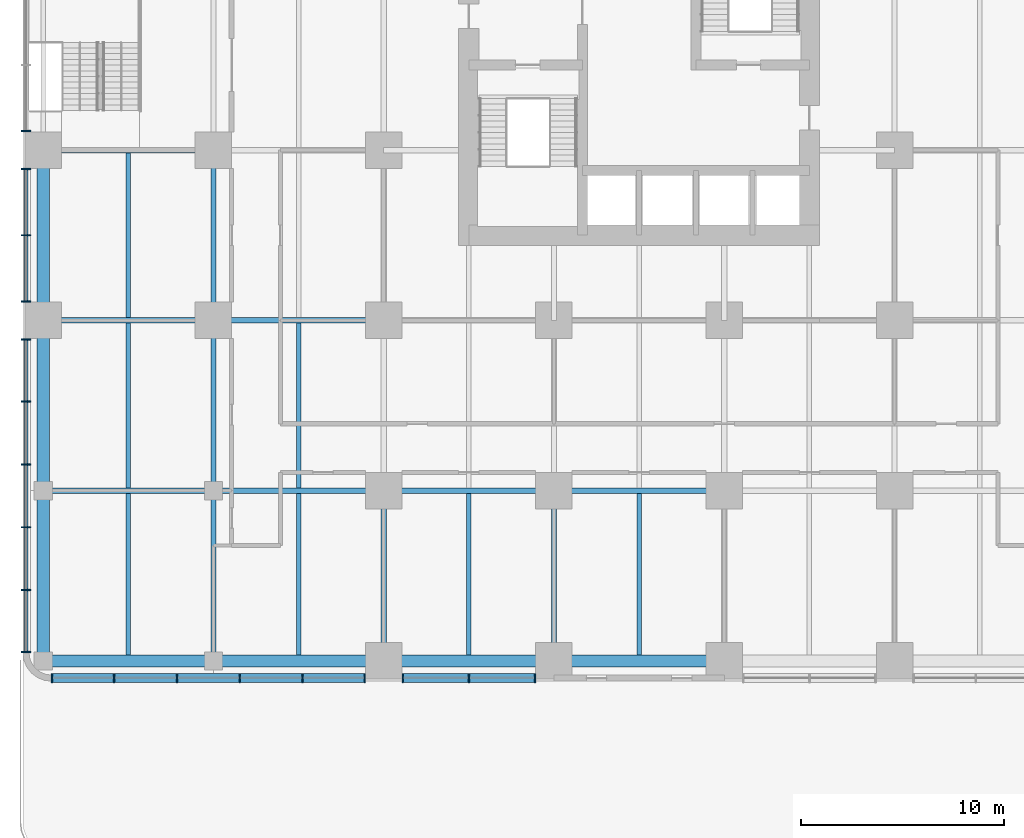
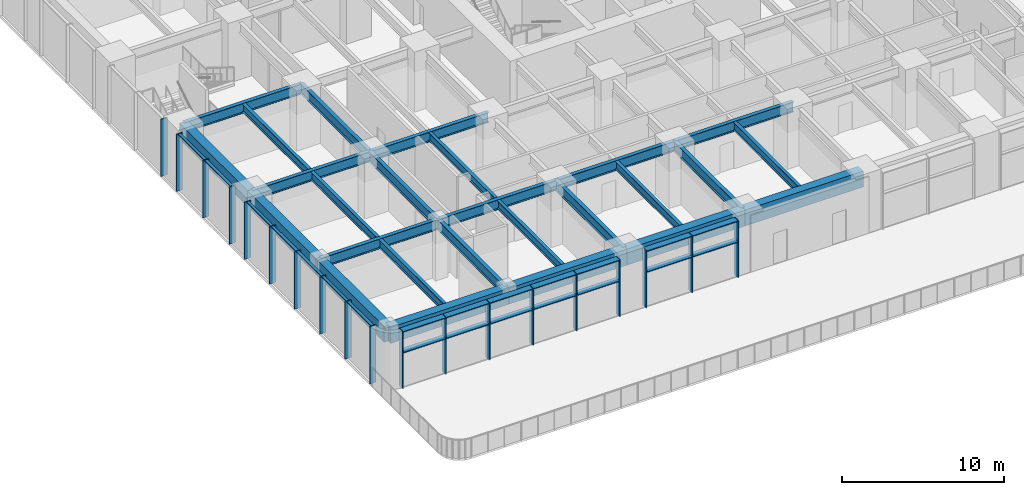
# One storey, part 2 of 19: 40 members, 26 beams, 2 elements without a shape of their own.
"""IFC4 building model written with IfcOpenShell, lengths in metres."""

from ifc_helpers import new_model, si_unit, direction, frame, origin, origin_2d, place, context, subcontext, project, spatial, rectangle, i_section, extrude, material, material_profile, profile_set, type_object, element, aggregate, save


model = new_model("IFC4")

# Units and contexts
model_context = context("Model", 3, precision=1e-05, world=origin(), true_north=direction((0.0, 1.0)))
body_context = subcontext(model_context, "Body", "Model", "MODEL_VIEW")
ifc_project = project(units=[si_unit("LENGTHUNIT", "METRE"), si_unit("AREAUNIT", "SQUARE_METRE"), si_unit("VOLUMEUNIT", "CUBIC_METRE"), si_unit("PLANEANGLEUNIT", "RADIAN"), si_unit("MASSUNIT", "GRAM", prefix="KILO")], contexts=[model_context])

# Site, building, storey
site_placement = place(None, origin())
site = spatial("IfcSite", under=ifc_project, at=site_placement, CompositionType="ELEMENT")
building_placement = place(site_placement, origin())
building = spatial("IfcBuilding", under=site, at=building_placement, Name="Torre Alcanfor", CompositionType="ELEMENT")
storey_placement = place(building_placement, frame((0.0, 0.0, 15.0)))
storey = spatial("IfcBuildingStorey", under=building, at=storey_placement, Name="L03", CompositionType="ELEMENT", Elevation=15.0)

# Curtain wall, members
ifc_material_1 = material(Name="Aluminium and glass", Category="aluminium")
curtain_wall_type_1 = type_object("IfcCurtainWallType", Name="CW-B unitised classroom glazing with vertical FIN", PredefinedType="NOTDEFINED", material=ifc_material_1)
curtain_wall_1_placement = place(storey_placement, origin())
curtain_wall_1 = element("IfcCurtainWall", 1, at=curtain_wall_1_placement, inside=storey, type_object=curtain_wall_type_1, Name="Curtain wall CW-B L03 3", PredefinedType="NOTDEFINED")
ifc_material_2 = material(Name="Bronze anodised aluminium", Category="aluminium")
ifc_material_profile_1 = material_profile(ifc_material_2, rectangle(XDim=0.449951171875, YDim=0.06494140625, at=origin_2d()), Name="CW-B mullion 65x450")
ifc_profile_set_1 = profile_set([ifc_material_profile_1], Name="Bronze anodised aluminium")
member_type_1 = type_object("IfcMemberType", Name="CW-B mullion with vertical FIN 65x450", PredefinedType="MULLION", material=ifc_profile_set_1)
member_1_placement = place(storey_placement, frame((-0.85009765625, 26.137451171875, 0.0), z_axis=(0.0, 0.0, 1.0), x_axis=(1.0, 0.0, 0.0)))
member_1 = element("IfcMember", 2, at=member_1_placement, type_object=member_type_1, Name="CW-B mullion 3.3", PredefinedType="MULLION", context=body_context, shape_type="SweptSolid", body=[
    extrude(rectangle(XDim=0.449951171875, YDim=0.06494140625, at=origin_2d()), origin(), (0.0, 0.0, 1.0), 4.300048828125),
])
member_2_placement = place(storey_placement, frame((-0.85009765625, 24.262451171875, 0.0), z_axis=(0.0, 0.0, 1.0), x_axis=(1.0, 0.0, 0.0)))
member_2 = element("IfcMember", 3, at=member_2_placement, type_object=member_type_1, Name="CW-B mullion 4.1", PredefinedType="MULLION", context=body_context, shape_type="SweptSolid", body=[
    extrude(rectangle(XDim=0.449951171875, YDim=0.06494140625, at=origin_2d()), origin(), (0.0, 0.0, 1.0), 4.300048828125),
])
member_3_placement = place(storey_placement, frame((-0.85009765625, 21.0, 0.0), z_axis=(0.0, 0.0, 1.0), x_axis=(1.0, 0.0, 0.0)))
member_3 = element("IfcMember", 4, at=member_3_placement, type_object=member_type_1, Name="CW-B mullion 4.2", PredefinedType="MULLION", context=body_context, shape_type="SweptSolid", body=[
    extrude(rectangle(XDim=0.449951171875, YDim=0.06494140625, at=origin_2d()), origin(), (0.0, 0.0, 1.0), 4.300048828125),
])
member_4_placement = place(storey_placement, frame((-0.85009765625, 17.737548828125, 0.0), z_axis=(0.0, 0.0, 1.0), x_axis=(1.0, 0.0, 0.0)))
member_4 = element("IfcMember", 5, at=member_4_placement, type_object=member_type_1, Name="CW-B mullion 4.3", PredefinedType="MULLION", context=body_context, shape_type="SweptSolid", body=[
    extrude(rectangle(XDim=0.449951171875, YDim=0.06494140625, at=origin_2d()), origin(), (0.0, 0.0, 1.0), 4.300048828125),
])
member_5_placement = place(storey_placement, frame((-0.85009765625, 15.862548828125, 0.0), z_axis=(0.0, 0.0, 1.0), x_axis=(1.0, 0.0, 0.0)))
member_5 = element("IfcMember", 6, at=member_5_placement, type_object=member_type_1, Name="CW-B mullion 5.1", PredefinedType="MULLION", context=body_context, shape_type="SweptSolid", body=[
    extrude(rectangle(XDim=0.449951171875, YDim=0.06494140625, at=origin_2d()), origin(), (0.0, 0.0, 1.0), 4.300048828125),
])
member_6_placement = place(storey_placement, frame((-0.85009765625, 12.7958984375, 0.0), z_axis=(0.0, 0.0, 1.0), x_axis=(1.0, 0.0, 0.0)))
member_6 = element("IfcMember", 7, at=member_6_placement, type_object=member_type_1, Name="CW-B mullion 5.2", PredefinedType="MULLION", context=body_context, shape_type="SweptSolid", body=[
    extrude(rectangle(XDim=0.449951171875, YDim=0.06494140625, at=origin_2d()), origin(), (0.0, 0.0, 1.0), 4.300048828125),
])
member_7_placement = place(storey_placement, frame((-0.85009765625, 9.697021484375, 0.0), z_axis=(0.0, 0.0, 1.0), x_axis=(1.0, 0.0, 0.0)))
member_7 = element("IfcMember", 8, at=member_7_placement, type_object=member_type_1, Name="CW-B mullion 5.3", PredefinedType="MULLION", context=body_context, shape_type="SweptSolid", body=[
    extrude(rectangle(XDim=0.449951171875, YDim=0.06494140625, at=origin_2d()), origin(), (0.0, 0.0, 1.0), 4.300048828125),
])
member_8_placement = place(storey_placement, frame((-0.85009765625, 6.597900390625, 0.0), z_axis=(0.0, 0.0, 1.0), x_axis=(1.0, 0.0, 0.0)))
member_8 = element("IfcMember", 9, at=member_8_placement, type_object=member_type_1, Name="CW-B mullion 5.4", PredefinedType="MULLION", context=body_context, shape_type="SweptSolid", body=[
    extrude(rectangle(XDim=0.449951171875, YDim=0.06494140625, at=origin_2d()), origin(), (0.0, 0.0, 1.0), 4.300048828125),
])
member_9_placement = place(storey_placement, frame((-0.85009765625, 3.4990234375, 0.0), z_axis=(0.0, 0.0, 1.0), x_axis=(1.0, 0.0, 0.0)))
member_9 = element("IfcMember", 10, at=member_9_placement, type_object=member_type_1, Name="CW-B mullion 5.5", PredefinedType="MULLION", context=body_context, shape_type="SweptSolid", body=[
    extrude(rectangle(XDim=0.449951171875, YDim=0.06494140625, at=origin_2d()), origin(), (0.0, 0.0, 1.0), 4.300048828125),
])
member_10_placement = place(storey_placement, frame((-0.85009765625, 0.4326171875, 0.0), z_axis=(0.0, 0.0, 1.0), x_axis=(1.0, 0.0, 0.0)))
member_10 = element("IfcMember", 11, at=member_10_placement, type_object=member_type_1, Name="CW-B mullion 5.6", PredefinedType="MULLION", context=body_context, shape_type="SweptSolid", body=[
    extrude(rectangle(XDim=0.449951171875, YDim=0.06494140625, at=origin_2d()), origin(), (0.0, 0.0, 1.0), 4.300048828125),
])
ifc_material_3 = material(Name="Extruded aluminium", Category="aluminium")
ifc_material_profile_2 = material_profile(ifc_material_3, rectangle(XDim=0.199951171875, YDim=0.06494140625, at=origin_2d()), Name="CW-B transom 200x65")
ifc_profile_set_2 = profile_set([ifc_material_profile_2], Name="Extruded aluminium")
member_type_2 = type_object("IfcMemberType", Name="CW-B transom 65x200", PredefinedType="USERDEFINED", material=ifc_profile_set_2)
member_11_placement = place(storey_placement, frame((-0.85009765625, 24.22998046875, 4.267578125), z_axis=(0.0, -1.0, 0.0), x_axis=(1.0, 0.0, 0.0)))
member_11 = element("IfcMember", 12, at=member_11_placement, type_object=member_type_2, Name="CW-B transom 4.1.2", ObjectType="TRANSOM", PredefinedType="USERDEFINED", context=body_context, shape_type="SweptSolid", body=[
    extrude(rectangle(XDim=0.199951171875, YDim=0.06494140625, at=origin_2d()), origin(), (0.0, 0.0, 1.0), 3.197509765625),
])
member_12_placement = place(storey_placement, frame((-0.85009765625, 20.967529296875, 4.267578125), z_axis=(0.0, -1.0, 0.0), x_axis=(1.0, 0.0, 0.0)))
member_12 = element("IfcMember", 13, at=member_12_placement, type_object=member_type_2, Name="CW-B transom 4.2.2", ObjectType="TRANSOM", PredefinedType="USERDEFINED", context=body_context, shape_type="SweptSolid", body=[
    extrude(rectangle(XDim=0.199951171875, YDim=0.06494140625, at=origin_2d()), origin(), (0.0, 0.0, 1.0), 3.197509765625),
])
member_13_placement = place(storey_placement, frame((-0.85009765625, 15.830078125, 4.267578125), z_axis=(0.0, -1.0, 0.0), x_axis=(1.0, 0.0, 0.0)))
member_13 = element("IfcMember", 14, at=member_13_placement, type_object=member_type_2, Name="CW-B transom 5.1.2", ObjectType="TRANSOM", PredefinedType="USERDEFINED", context=body_context, shape_type="SweptSolid", body=[
    extrude(rectangle(XDim=0.199951171875, YDim=0.06494140625, at=origin_2d()), origin(), (0.0, 0.0, 1.0), 3.00146484375),
])
member_14_placement = place(storey_placement, frame((-0.85009765625, 12.763427734375, 4.267578125), z_axis=(0.0, -1.0, 0.0), x_axis=(1.0, 0.0, 0.0)))
member_14 = element("IfcMember", 15, at=member_14_placement, type_object=member_type_2, Name="CW-B transom 5.2.2", ObjectType="TRANSOM", PredefinedType="USERDEFINED", context=body_context, shape_type="SweptSolid", body=[
    extrude(rectangle(XDim=0.199951171875, YDim=0.06494140625, at=origin_2d()), origin(), (0.0, 0.0, 1.0), 3.033935546875),
])
member_15_placement = place(storey_placement, frame((-0.85009765625, 9.66455078125, 4.267578125), z_axis=(0.0, -1.0, 0.0), x_axis=(1.0, 0.0, 0.0)))
member_15 = element("IfcMember", 16, at=member_15_placement, type_object=member_type_2, Name="CW-B transom 5.3.2", ObjectType="TRANSOM", PredefinedType="USERDEFINED", context=body_context, shape_type="SweptSolid", body=[
    extrude(rectangle(XDim=0.199951171875, YDim=0.06494140625, at=origin_2d()), origin(), (0.0, 0.0, 1.0), 3.033935546875),
])
member_16_placement = place(storey_placement, frame((-0.85009765625, 6.5654296875, 4.267578125), z_axis=(0.0, -1.0, 0.0), x_axis=(1.0, 0.0, 0.0)))
member_16 = element("IfcMember", 17, at=member_16_placement, type_object=member_type_2, Name="CW-B transom 5.4.2", ObjectType="TRANSOM", PredefinedType="USERDEFINED", context=body_context, shape_type="SweptSolid", body=[
    extrude(rectangle(XDim=0.199951171875, YDim=0.06494140625, at=origin_2d()), origin(), (0.0, 0.0, 1.0), 3.033935546875),
])
member_17_placement = place(storey_placement, frame((-0.85009765625, 3.466552734375, 4.267578125), z_axis=(0.0, -1.0, 0.0), x_axis=(1.0, 0.0, 0.0)))
member_17 = element("IfcMember", 18, at=member_17_placement, type_object=member_type_2, Name="CW-B transom 5.5.2", ObjectType="TRANSOM", PredefinedType="USERDEFINED", context=body_context, shape_type="SweptSolid", body=[
    extrude(rectangle(XDim=0.199951171875, YDim=0.06494140625, at=origin_2d()), origin(), (0.0, 0.0, 1.0), 3.00146484375),
])
aggregate(curtain_wall_1, [member_1, member_2, member_3, member_4, member_11, member_12, member_5, member_6, member_7, member_8, member_9, member_10, member_13, member_14, member_15, member_16, member_17])

ifc_material_4 = material(Name="Aluminium and glass", Category="aluminium")
curtain_wall_type_2 = type_object("IfcCurtainWallType", Name="CW-F south classroom glazing with SUNSHADE transom", PredefinedType="NOTDEFINED", material=ifc_material_4)
curtain_wall_2_placement = place(storey_placement, origin())
curtain_wall_2 = element("IfcCurtainWall", 19, at=curtain_wall_2_placement, inside=storey, type_object=curtain_wall_type_2, Name="Curtain wall CW-F L03 4", PredefinedType="NOTDEFINED")
ifc_material_5 = material(Name="Extruded aluminium", Category="aluminium")
ifc_material_profile_3 = material_profile(ifc_material_5, rectangle(XDim=0.449951171875, YDim=0.06494140625, at=origin_2d()), Name="CW-F transom 450x65")
ifc_profile_set_3 = profile_set([ifc_material_profile_3], Name="Extruded aluminium")
member_type_3 = type_object("IfcMemberType", Name="CW-F SUNSHADE transom 65x450", PredefinedType="USERDEFINED", material=ifc_profile_set_3)
member_18_placement = place(storey_placement, frame((0.465087890625, -0.85009765625, 2.699951171875), z_axis=(1.0, 0.0, 0.0), x_axis=(0.0, 1.0, 0.0)))
member_18 = element("IfcMember", 20, at=member_18_placement, type_object=member_type_3, Name="CW-F transom 1.1.2", ObjectType="TRANSOM", PredefinedType="USERDEFINED", context=body_context, shape_type="SweptSolid", body=[
    extrude(rectangle(XDim=0.449951171875, YDim=0.06494140625, at=origin_2d()), origin(), (0.0, 0.0, 1.0), 3.00146484375),
])
member_19_placement = place(storey_placement, frame((0.465087890625, -0.85009765625, 4.267578125), z_axis=(1.0, 0.0, 0.0), x_axis=(0.0, 1.0, 0.0)))
member_19 = element("IfcMember", 21, at=member_19_placement, type_object=member_type_3, Name="CW-F transom 1.1.3", ObjectType="TRANSOM", PredefinedType="USERDEFINED", context=body_context, shape_type="SweptSolid", body=[
    extrude(rectangle(XDim=0.449951171875, YDim=0.06494140625, at=origin_2d()), origin(), (0.0, 0.0, 1.0), 3.00146484375),
])
member_20_placement = place(storey_placement, frame((3.531494140625, -0.85009765625, 2.699951171875), z_axis=(1.0, 0.0, 0.0), x_axis=(0.0, 1.0, 0.0)))
member_20 = element("IfcMember", 22, at=member_20_placement, type_object=member_type_3, Name="CW-F transom 1.2.2", ObjectType="TRANSOM", PredefinedType="USERDEFINED", context=body_context, shape_type="SweptSolid", body=[
    extrude(rectangle(XDim=0.449951171875, YDim=0.06494140625, at=origin_2d()), origin(), (0.0, 0.0, 1.0), 3.033935546875),
])
member_21_placement = place(storey_placement, frame((3.531494140625, -0.85009765625, 4.267578125), z_axis=(1.0, 0.0, 0.0), x_axis=(0.0, 1.0, 0.0)))
member_21 = element("IfcMember", 23, at=member_21_placement, type_object=member_type_3, Name="CW-F transom 1.2.3", ObjectType="TRANSOM", PredefinedType="USERDEFINED", context=body_context, shape_type="SweptSolid", body=[
    extrude(rectangle(XDim=0.449951171875, YDim=0.06494140625, at=origin_2d()), origin(), (0.0, 0.0, 1.0), 3.033935546875),
])
member_22_placement = place(storey_placement, frame((6.630615234375, -0.85009765625, 2.699951171875), z_axis=(1.0, 0.0, 0.0), x_axis=(0.0, 1.0, 0.0)))
member_22 = element("IfcMember", 24, at=member_22_placement, type_object=member_type_3, Name="CW-F transom 1.3.2", ObjectType="TRANSOM", PredefinedType="USERDEFINED", context=body_context, shape_type="SweptSolid", body=[
    extrude(rectangle(XDim=0.449951171875, YDim=0.06494140625, at=origin_2d()), origin(), (0.0, 0.0, 1.0), 3.033935546875),
])
member_23_placement = place(storey_placement, frame((6.630615234375, -0.85009765625, 4.267578125), z_axis=(1.0, 0.0, 0.0), x_axis=(0.0, 1.0, 0.0)))
member_23 = element("IfcMember", 25, at=member_23_placement, type_object=member_type_3, Name="CW-F transom 1.3.3", ObjectType="TRANSOM", PredefinedType="USERDEFINED", context=body_context, shape_type="SweptSolid", body=[
    extrude(rectangle(XDim=0.449951171875, YDim=0.06494140625, at=origin_2d()), origin(), (0.0, 0.0, 1.0), 3.033935546875),
])
member_24_placement = place(storey_placement, frame((9.7294921875, -0.85009765625, 2.699951171875), z_axis=(1.0, 0.0, 0.0), x_axis=(0.0, 1.0, 0.0)))
member_24 = element("IfcMember", 26, at=member_24_placement, type_object=member_type_3, Name="CW-F transom 1.4.2", ObjectType="TRANSOM", PredefinedType="USERDEFINED", context=body_context, shape_type="SweptSolid", body=[
    extrude(rectangle(XDim=0.449951171875, YDim=0.06494140625, at=origin_2d()), origin(), (0.0, 0.0, 1.0), 3.033935546875),
])
member_25_placement = place(storey_placement, frame((9.7294921875, -0.85009765625, 4.267578125), z_axis=(1.0, 0.0, 0.0), x_axis=(0.0, 1.0, 0.0)))
member_25 = element("IfcMember", 27, at=member_25_placement, type_object=member_type_3, Name="CW-F transom 1.4.3", ObjectType="TRANSOM", PredefinedType="USERDEFINED", context=body_context, shape_type="SweptSolid", body=[
    extrude(rectangle(XDim=0.449951171875, YDim=0.06494140625, at=origin_2d()), origin(), (0.0, 0.0, 1.0), 3.033935546875),
])
member_26_placement = place(storey_placement, frame((12.82861328125, -0.85009765625, 2.699951171875), z_axis=(1.0, 0.0, 0.0), x_axis=(0.0, 1.0, 0.0)))
member_26 = element("IfcMember", 28, at=member_26_placement, type_object=member_type_3, Name="CW-F transom 1.5.2", ObjectType="TRANSOM", PredefinedType="USERDEFINED", context=body_context, shape_type="SweptSolid", body=[
    extrude(rectangle(XDim=0.449951171875, YDim=0.06494140625, at=origin_2d()), origin(), (0.0, 0.0, 1.0), 3.00146484375),
])
member_27_placement = place(storey_placement, frame((12.82861328125, -0.85009765625, 4.267578125), z_axis=(1.0, 0.0, 0.0), x_axis=(0.0, 1.0, 0.0)))
member_27 = element("IfcMember", 29, at=member_27_placement, type_object=member_type_3, Name="CW-F transom 1.5.3", ObjectType="TRANSOM", PredefinedType="USERDEFINED", context=body_context, shape_type="SweptSolid", body=[
    extrude(rectangle(XDim=0.449951171875, YDim=0.06494140625, at=origin_2d()), origin(), (0.0, 0.0, 1.0), 3.00146484375),
])
member_28_placement = place(storey_placement, frame((17.77001953125, -0.85009765625, 2.699951171875), z_axis=(1.0, 0.0, 0.0), x_axis=(0.0, 1.0, 0.0)))
member_28 = element("IfcMember", 30, at=member_28_placement, type_object=member_type_3, Name="CW-F transom 2.1.2", ObjectType="TRANSOM", PredefinedType="USERDEFINED", context=body_context, shape_type="SweptSolid", body=[
    extrude(rectangle(XDim=0.449951171875, YDim=0.06494140625, at=origin_2d()), origin(), (0.0, 0.0, 1.0), 3.197509765625),
])
member_29_placement = place(storey_placement, frame((17.77001953125, -0.85009765625, 4.267578125), z_axis=(1.0, 0.0, 0.0), x_axis=(0.0, 1.0, 0.0)))
member_29 = element("IfcMember", 31, at=member_29_placement, type_object=member_type_3, Name="CW-F transom 2.1.3", ObjectType="TRANSOM", PredefinedType="USERDEFINED", context=body_context, shape_type="SweptSolid", body=[
    extrude(rectangle(XDim=0.449951171875, YDim=0.06494140625, at=origin_2d()), origin(), (0.0, 0.0, 1.0), 3.197509765625),
])
member_30_placement = place(storey_placement, frame((21.032470703125, -0.85009765625, 2.699951171875), z_axis=(1.0, 0.0, 0.0), x_axis=(0.0, 1.0, 0.0)))
member_30 = element("IfcMember", 32, at=member_30_placement, type_object=member_type_3, Name="CW-F transom 2.2.2", ObjectType="TRANSOM", PredefinedType="USERDEFINED", context=body_context, shape_type="SweptSolid", body=[
    extrude(rectangle(XDim=0.449951171875, YDim=0.06494140625, at=origin_2d()), origin(), (0.0, 0.0, 1.0), 3.197509765625),
])
member_31_placement = place(storey_placement, frame((21.032470703125, -0.85009765625, 4.267578125), z_axis=(1.0, 0.0, 0.0), x_axis=(0.0, 1.0, 0.0)))
member_31 = element("IfcMember", 33, at=member_31_placement, type_object=member_type_3, Name="CW-F transom 2.2.3", ObjectType="TRANSOM", PredefinedType="USERDEFINED", context=body_context, shape_type="SweptSolid", body=[
    extrude(rectangle(XDim=0.449951171875, YDim=0.06494140625, at=origin_2d()), origin(), (0.0, 0.0, 1.0), 3.197509765625),
])
ifc_material_6 = material(Name="Bronze anodised aluminium", Category="aluminium")
ifc_material_profile_4 = material_profile(ifc_material_6, rectangle(XDim=0.449951171875, YDim=0.06494140625, at=origin_2d()), Name="CW-F mullion 65x450")
ifc_profile_set_4 = profile_set([ifc_material_profile_4], Name="Bronze anodised aluminium")
member_type_4 = type_object("IfcMemberType", Name="CW-F mullion with vertical FIN 65x450", PredefinedType="MULLION", material=ifc_profile_set_4)
member_32_placement = place(storey_placement, frame((0.4326171875, -0.85009765625, 0.0), z_axis=(0.0, 0.0, 1.0), x_axis=(0.0, 1.0, 0.0)))
member_32 = element("IfcMember", 34, at=member_32_placement, type_object=member_type_4, Name="CW-F mullion 1.1", PredefinedType="MULLION", context=body_context, shape_type="SweptSolid", body=[
    extrude(rectangle(XDim=0.449951171875, YDim=0.06494140625, at=origin_2d()), origin(), (0.0, 0.0, 1.0), 4.300048828125),
])
member_33_placement = place(storey_placement, frame((3.4990234375, -0.85009765625, 0.0), z_axis=(0.0, 0.0, 1.0), x_axis=(0.0, 1.0, 0.0)))
member_33 = element("IfcMember", 35, at=member_33_placement, type_object=member_type_4, Name="CW-F mullion 1.2", PredefinedType="MULLION", context=body_context, shape_type="SweptSolid", body=[
    extrude(rectangle(XDim=0.449951171875, YDim=0.06494140625, at=origin_2d()), origin(), (0.0, 0.0, 1.0), 4.300048828125),
])
member_34_placement = place(storey_placement, frame((6.597900390625, -0.85009765625, 0.0), z_axis=(0.0, 0.0, 1.0), x_axis=(0.0, 1.0, 0.0)))
member_34 = element("IfcMember", 36, at=member_34_placement, type_object=member_type_4, Name="CW-F mullion 1.3", PredefinedType="MULLION", context=body_context, shape_type="SweptSolid", body=[
    extrude(rectangle(XDim=0.449951171875, YDim=0.06494140625, at=origin_2d()), origin(), (0.0, 0.0, 1.0), 4.300048828125),
])
member_35_placement = place(storey_placement, frame((9.697021484375, -0.85009765625, 0.0), z_axis=(0.0, 0.0, 1.0), x_axis=(0.0, 1.0, 0.0)))
member_35 = element("IfcMember", 37, at=member_35_placement, type_object=member_type_4, Name="CW-F mullion 1.4", PredefinedType="MULLION", context=body_context, shape_type="SweptSolid", body=[
    extrude(rectangle(XDim=0.449951171875, YDim=0.06494140625, at=origin_2d()), origin(), (0.0, 0.0, 1.0), 4.300048828125),
])
member_36_placement = place(storey_placement, frame((12.7958984375, -0.85009765625, 0.0), z_axis=(0.0, 0.0, 1.0), x_axis=(0.0, 1.0, 0.0)))
member_36 = element("IfcMember", 38, at=member_36_placement, type_object=member_type_4, Name="CW-F mullion 1.5", PredefinedType="MULLION", context=body_context, shape_type="SweptSolid", body=[
    extrude(rectangle(XDim=0.449951171875, YDim=0.06494140625, at=origin_2d()), origin(), (0.0, 0.0, 1.0), 4.300048828125),
])
member_37_placement = place(storey_placement, frame((15.862548828125, -0.85009765625, 0.0), z_axis=(0.0, 0.0, 1.0), x_axis=(0.0, 1.0, 0.0)))
member_37 = element("IfcMember", 39, at=member_37_placement, type_object=member_type_4, Name="CW-F mullion 1.6", PredefinedType="MULLION", context=body_context, shape_type="SweptSolid", body=[
    extrude(rectangle(XDim=0.449951171875, YDim=0.06494140625, at=origin_2d()), origin(), (0.0, 0.0, 1.0), 4.300048828125),
])
member_38_placement = place(storey_placement, frame((17.737548828125, -0.85009765625, 0.0), z_axis=(0.0, 0.0, 1.0), x_axis=(0.0, 1.0, 0.0)))
member_38 = element("IfcMember", 40, at=member_38_placement, type_object=member_type_4, Name="CW-F mullion 2.1", PredefinedType="MULLION", context=body_context, shape_type="SweptSolid", body=[
    extrude(rectangle(XDim=0.449951171875, YDim=0.06494140625, at=origin_2d()), origin(), (0.0, 0.0, 1.0), 4.300048828125),
])
member_39_placement = place(storey_placement, frame((21.0, -0.85009765625, 0.0), z_axis=(0.0, 0.0, 1.0), x_axis=(0.0, 1.0, 0.0)))
member_39 = element("IfcMember", 41, at=member_39_placement, type_object=member_type_4, Name="CW-F mullion 2.2", PredefinedType="MULLION", context=body_context, shape_type="SweptSolid", body=[
    extrude(rectangle(XDim=0.449951171875, YDim=0.06494140625, at=origin_2d()), origin(), (0.0, 0.0, 1.0), 4.300048828125),
])
member_40_placement = place(storey_placement, frame((24.262451171875, -0.85009765625, 0.0), z_axis=(0.0, 0.0, 1.0), x_axis=(0.0, 1.0, 0.0)))
member_40 = element("IfcMember", 42, at=member_40_placement, type_object=member_type_4, Name="CW-F mullion 2.3", PredefinedType="MULLION", context=body_context, shape_type="SweptSolid", body=[
    extrude(rectangle(XDim=0.449951171875, YDim=0.06494140625, at=origin_2d()), origin(), (0.0, 0.0, 1.0), 4.300048828125),
])
aggregate(curtain_wall_2, [member_32, member_33, member_34, member_35, member_36, member_37, member_18, member_19, member_20, member_21, member_22, member_23, member_24, member_25, member_26, member_27, member_38, member_39, member_40, member_28, member_29, member_30, member_31])

# Beams
ifc_material_7 = material(Name="Steel ASTM A992 Grade 50", Category="steel")
ifc_material_profile_5 = material_profile(ifc_material_7, i_section(OverallWidth=0.2666015625, OverallDepth=0.7568359375, WebThickness=0.013916015625, FlangeThickness=0.019287109375, at=origin_2d()), Name="W30x108")
ifc_profile_set_5 = profile_set([ifc_material_profile_5], Name="Steel ASTM A992 Grade 50")
beam_type_1 = type_object("IfcBeamType", Name="Girder W30x108", PredefinedType="BEAM", material=ifc_profile_set_5)
beam_1_placement = place(storey_placement, frame((0.0, 8.39990234375, 3.921630859375), z_axis=(1.0, 0.0, 0.0), x_axis=(0.0, 1.0, 0.0)))
element("IfcBeam", 43, at=beam_1_placement, inside=storey, type_object=beam_type_1, Name="Beam 1D-2D under L04", PredefinedType="BEAM", context=body_context, shape_type="SweptSolid", body=[
    extrude(i_section(OverallWidth=0.2666015625, OverallDepth=0.7568359375, WebThickness=0.013916015625, FlangeThickness=0.019287109375, at=origin_2d()), origin(), (0.0, 0.0, 1.0), 8.39990234375),
])
beam_2_placement = place(storey_placement, frame((8.39990234375, 8.39990234375, 3.921630859375), z_axis=(1.0, 0.0, 0.0), x_axis=(0.0, 1.0, 0.0)))
element("IfcBeam", 44, at=beam_2_placement, inside=storey, type_object=beam_type_1, Name="Beam 2D-3D under L04", PredefinedType="BEAM", context=body_context, shape_type="SweptSolid", body=[
    extrude(i_section(OverallWidth=0.2666015625, OverallDepth=0.7568359375, WebThickness=0.013916015625, FlangeThickness=0.019287109375, at=origin_2d()), origin(), (0.0, 0.0, 1.0), 8.400146484375),
])
beam_3_placement = place(storey_placement, frame((16.800048828125, 8.39990234375, 3.921630859375), z_axis=(1.0, 0.0, 0.0), x_axis=(0.0, 1.0, 0.0)))
element("IfcBeam", 45, at=beam_3_placement, inside=storey, type_object=beam_type_1, Name="Beam 3D-4D under L04", PredefinedType="BEAM", context=body_context, shape_type="SweptSolid", body=[
    extrude(i_section(OverallWidth=0.2666015625, OverallDepth=0.7568359375, WebThickness=0.013916015625, FlangeThickness=0.019287109375, at=origin_2d()), origin(), (0.0, 0.0, 1.0), 8.39990234375),
])
beam_4_placement = place(storey_placement, frame((25.199951171875, 8.39990234375, 3.921630859375), z_axis=(1.0, 0.0, 0.0), x_axis=(0.0, 1.0, 0.0)))
element("IfcBeam", 46, at=beam_4_placement, inside=storey, type_object=beam_type_1, Name="Beam 4D-5D under L04", PredefinedType="BEAM", context=body_context, shape_type="SweptSolid", body=[
    extrude(i_section(OverallWidth=0.2666015625, OverallDepth=0.7568359375, WebThickness=0.013916015625, FlangeThickness=0.019287109375, at=origin_2d()), origin(), (0.0, 0.0, 1.0), 8.400146484375),
])
beam_5_placement = place(storey_placement, frame((0.0, 16.800048828125, 3.921630859375), z_axis=(1.0, 0.0, 0.0), x_axis=(0.0, 1.0, 0.0)))
element("IfcBeam", 47, at=beam_5_placement, inside=storey, type_object=beam_type_1, Name="Beam 1E-2E under L04", PredefinedType="BEAM", context=body_context, shape_type="SweptSolid", body=[
    extrude(i_section(OverallWidth=0.2666015625, OverallDepth=0.7568359375, WebThickness=0.013916015625, FlangeThickness=0.019287109375, at=origin_2d()), origin(), (0.0, 0.0, 1.0), 8.39990234375),
])
beam_6_placement = place(storey_placement, frame((8.39990234375, 16.800048828125, 3.921630859375), z_axis=(1.0, 0.0, 0.0), x_axis=(0.0, 1.0, 0.0)))
element("IfcBeam", 48, at=beam_6_placement, inside=storey, type_object=beam_type_1, Name="Beam 2E-3E under L04", PredefinedType="BEAM", context=body_context, shape_type="SweptSolid", body=[
    extrude(i_section(OverallWidth=0.2666015625, OverallDepth=0.7568359375, WebThickness=0.013916015625, FlangeThickness=0.019287109375, at=origin_2d()), origin(), (0.0, 0.0, 1.0), 8.400146484375),
])
for number, where, z_axis, x_axis, name in (
    (49, (0.0, 25.199951171875, 3.921630859375), (1.0, 0.0, 0.0), (0.0, 1.0, 0.0), "Beam 1F-2F under L04"),
    (50, (8.39990234375, 0.0, 3.921630859375), (0.0, 1.0, 0.0), (-1.0, 0.0, 0.0), "Beam 2C-2D under L04"),
):
    element("IfcBeam", number, at=place(storey_placement, frame(where, z_axis=z_axis, x_axis=x_axis)), inside=storey, type_object=beam_type_1, Name=name, PredefinedType="BEAM", context=body_context, shape_type="SweptSolid", body=[
        extrude(i_section(OverallWidth=0.2666015625, OverallDepth=0.7568359375, WebThickness=0.013916015625, FlangeThickness=0.019287109375, at=origin_2d()), origin(), (0.0, 0.0, 1.0), 8.39990234375),
    ])
beam_7_placement = place(storey_placement, frame((8.39990234375, 8.39990234375, 3.921630859375), z_axis=(0.0, 1.0, 0.0), x_axis=(-1.0, 0.0, 0.0)))
element("IfcBeam", 51, at=beam_7_placement, inside=storey, type_object=beam_type_1, Name="Beam 2D-2E under L04", PredefinedType="BEAM", context=body_context, shape_type="SweptSolid", body=[
    extrude(i_section(OverallWidth=0.2666015625, OverallDepth=0.7568359375, WebThickness=0.013916015625, FlangeThickness=0.019287109375, at=origin_2d()), origin(), (0.0, 0.0, 1.0), 8.400146484375),
])
for number, where, z_axis, x_axis, name in (
    (52, (8.39990234375, 16.800048828125, 3.921630859375), (0.0, 1.0, 0.0), (-1.0, 0.0, 0.0), "Beam 2E-2F under L04"),
    (53, (16.800048828125, 0.0, 3.921630859375), (0.0, 1.0, 0.0), (-1.0, 0.0, 0.0), "Beam 3C-3D under L04"),
    (54, (25.199951171875, 0.0, 3.921630859375), (0.0, 1.0, 0.0), (-1.0, 0.0, 0.0), "Beam 4C-4D under L04"),
):
    element("IfcBeam", number, at=place(storey_placement, frame(where, z_axis=z_axis, x_axis=x_axis)), inside=storey, type_object=beam_type_1, Name=name, PredefinedType="BEAM", context=body_context, shape_type="SweptSolid", body=[
        extrude(i_section(OverallWidth=0.2666015625, OverallDepth=0.7568359375, WebThickness=0.013916015625, FlangeThickness=0.019287109375, at=origin_2d()), origin(), (0.0, 0.0, 1.0), 8.39990234375),
    ])
ifc_material_8 = material(Name="Concrete f'c 70 MPa", Category="concrete")
ifc_material_profile_6 = material_profile(ifc_material_8, rectangle(XDim=0.60009765625, YDim=1.199951171875, at=origin_2d()), Name="600x1200")
ifc_profile_set_6 = profile_set([ifc_material_profile_6], Name="Concrete f'c 70 MPa")
beam_type_2 = type_object("IfcBeamType", Name="RC perimeter beam 600x1200", PredefinedType="BEAM", material=ifc_profile_set_6)
beam_8_placement = place(storey_placement, frame((0.0, 0.0, 3.699951171875), z_axis=(1.0, 0.0, 0.0), x_axis=(0.0, 1.0, 0.0)))
element("IfcBeam", 55, at=beam_8_placement, inside=storey, type_object=beam_type_2, Name="Beam 1C-2C under L04", PredefinedType="BEAM", context=body_context, shape_type="SweptSolid", body=[
    extrude(rectangle(XDim=0.60009765625, YDim=1.199951171875, at=origin_2d()), origin(), (0.0, 0.0, 1.0), 8.39990234375),
])
beam_9_placement = place(storey_placement, frame((8.39990234375, 0.0, 3.699951171875), z_axis=(1.0, 0.0, 0.0), x_axis=(0.0, 1.0, 0.0)))
element("IfcBeam", 56, at=beam_9_placement, inside=storey, type_object=beam_type_2, Name="Beam 2C-3C under L04", PredefinedType="BEAM", context=body_context, shape_type="SweptSolid", body=[
    extrude(rectangle(XDim=0.60009765625, YDim=1.199951171875, at=origin_2d()), origin(), (0.0, 0.0, 1.0), 8.400146484375),
])
beam_10_placement = place(storey_placement, frame((16.800048828125, 0.0, 3.699951171875), z_axis=(1.0, 0.0, 0.0), x_axis=(0.0, 1.0, 0.0)))
element("IfcBeam", 57, at=beam_10_placement, inside=storey, type_object=beam_type_2, Name="Beam 3C-4C under L04", PredefinedType="BEAM", context=body_context, shape_type="SweptSolid", body=[
    extrude(rectangle(XDim=0.60009765625, YDim=1.199951171875, at=origin_2d()), origin(), (0.0, 0.0, 1.0), 8.39990234375),
])
beam_11_placement = place(storey_placement, frame((25.199951171875, 0.0, 3.699951171875), z_axis=(1.0, 0.0, 0.0), x_axis=(0.0, 1.0, 0.0)))
element("IfcBeam", 58, at=beam_11_placement, inside=storey, type_object=beam_type_2, Name="Beam 4C-5C under L04", PredefinedType="BEAM", context=body_context, shape_type="SweptSolid", body=[
    extrude(rectangle(XDim=0.60009765625, YDim=1.199951171875, at=origin_2d()), origin(), (0.0, 0.0, 1.0), 8.400146484375),
])
beam_12_placement = place(storey_placement, frame((0.0, 0.0, 3.699951171875), z_axis=(0.0, 1.0, 0.0), x_axis=(-1.0, 0.0, 0.0)))
element("IfcBeam", 59, at=beam_12_placement, inside=storey, type_object=beam_type_2, Name="Beam 1C-1D under L04", PredefinedType="BEAM", context=body_context, shape_type="SweptSolid", body=[
    extrude(rectangle(XDim=0.60009765625, YDim=1.199951171875, at=origin_2d()), origin(), (0.0, 0.0, 1.0), 8.39990234375),
])
beam_13_placement = place(storey_placement, frame((0.0, 8.39990234375, 3.699951171875), z_axis=(0.0, 1.0, 0.0), x_axis=(-1.0, 0.0, 0.0)))
element("IfcBeam", 60, at=beam_13_placement, inside=storey, type_object=beam_type_2, Name="Beam 1D-1E under L04", PredefinedType="BEAM", context=body_context, shape_type="SweptSolid", body=[
    extrude(rectangle(XDim=0.60009765625, YDim=1.199951171875, at=origin_2d()), origin(), (0.0, 0.0, 1.0), 8.400146484375),
])
beam_14_placement = place(storey_placement, frame((0.0, 16.800048828125, 3.699951171875), z_axis=(0.0, 1.0, 0.0), x_axis=(-1.0, 0.0, 0.0)))
element("IfcBeam", 61, at=beam_14_placement, inside=storey, type_object=beam_type_2, Name="Beam 1E-1F under L04", PredefinedType="BEAM", context=body_context, shape_type="SweptSolid", body=[
    extrude(rectangle(XDim=0.60009765625, YDim=1.199951171875, at=origin_2d()), origin(), (0.0, 0.0, 1.0), 8.39990234375),
])
ifc_material_9 = material(Name="Steel ASTM A992 Grade 50", Category="steel")
ifc_material_profile_7 = material_profile(ifc_material_9, i_section(OverallWidth=0.22900390625, OverallDepth=0.612060546875, WebThickness=0.011962890625, FlangeThickness=0.01953125, at=origin_2d()), Name="W24x84")
ifc_profile_set_7 = profile_set([ifc_material_profile_7], Name="Steel ASTM A992 Grade 50")
beam_type_3 = type_object("IfcBeamType", Name="Secondary beam W24x84", PredefinedType="BEAM", material=ifc_profile_set_7)
beam_15_placement = place(storey_placement, frame((4.199951171875, 0.300048828125, 3.993896484375), z_axis=(0.0, 1.0, 0.0), x_axis=(-1.0, 0.0, 0.0)))
element("IfcBeam", 62, at=beam_15_placement, inside=storey, type_object=beam_type_3, Name="Beam 4_2C-4_2D under L04", PredefinedType="BEAM", context=body_context, shape_type="SweptSolid", body=[
    extrude(i_section(OverallWidth=0.22900390625, OverallDepth=0.612060546875, WebThickness=0.011962890625, FlangeThickness=0.01953125, at=origin_2d()), origin(), (0.0, 0.0, 1.0), 7.967041015625),
])
beam_16_placement = place(storey_placement, frame((4.199951171875, 8.532958984375, 3.993896484375), z_axis=(0.0, 1.0, 0.0), x_axis=(-1.0, 0.0, 0.0)))
element("IfcBeam", 63, at=beam_16_placement, inside=storey, type_object=beam_type_3, Name="Beam 4_2D-4_2E under L04", PredefinedType="BEAM", context=body_context, shape_type="SweptSolid", body=[
    extrude(i_section(OverallWidth=0.22900390625, OverallDepth=0.612060546875, WebThickness=0.011962890625, FlangeThickness=0.01953125, at=origin_2d()), origin(), (0.0, 0.0, 1.0), 8.134033203125),
])
beam_17_placement = place(storey_placement, frame((4.199951171875, 16.93310546875, 3.993896484375), z_axis=(0.0, 1.0, 0.0), x_axis=(-1.0, 0.0, 0.0)))
element("IfcBeam", 64, at=beam_17_placement, inside=storey, type_object=beam_type_3, Name="Beam 4_2E-4_2F under L04", PredefinedType="BEAM", context=body_context, shape_type="SweptSolid", body=[
    extrude(i_section(OverallWidth=0.22900390625, OverallDepth=0.612060546875, WebThickness=0.011962890625, FlangeThickness=0.01953125, at=origin_2d()), origin(), (0.0, 0.0, 1.0), 8.1337890625),
])
beam_18_placement = place(storey_placement, frame((12.60009765625, 0.300048828125, 3.993896484375), z_axis=(0.0, 1.0, 0.0), x_axis=(-1.0, 0.0, 0.0)))
element("IfcBeam", 65, at=beam_18_placement, inside=storey, type_object=beam_type_3, Name="Beam 12_6C-12_6D under L04", PredefinedType="BEAM", context=body_context, shape_type="SweptSolid", body=[
    extrude(i_section(OverallWidth=0.22900390625, OverallDepth=0.612060546875, WebThickness=0.011962890625, FlangeThickness=0.01953125, at=origin_2d()), origin(), (0.0, 0.0, 1.0), 7.967041015625),
])
beam_19_placement = place(storey_placement, frame((12.60009765625, 8.532958984375, 3.993896484375), z_axis=(0.0, 1.0, 0.0), x_axis=(-1.0, 0.0, 0.0)))
element("IfcBeam", 66, at=beam_19_placement, inside=storey, type_object=beam_type_3, Name="Beam 12_6D-12_6E under L04", PredefinedType="BEAM", context=body_context, shape_type="SweptSolid", body=[
    extrude(i_section(OverallWidth=0.22900390625, OverallDepth=0.612060546875, WebThickness=0.011962890625, FlangeThickness=0.01953125, at=origin_2d()), origin(), (0.0, 0.0, 1.0), 8.134033203125),
])
for number, where, z_axis, x_axis, name in (
    (67, (21.0, 0.300048828125, 3.993896484375), (0.0, 1.0, 0.0), (-1.0, 0.0, 0.0), "Beam 21C-21D under L04"),
    (68, (29.39990234375, 0.300048828125, 3.993896484375), (0.0, 1.0, 0.0), (-1.0, 0.0, 0.0), "Beam 29_4C-29_4D under L04"),
):
    element("IfcBeam", number, at=place(storey_placement, frame(where, z_axis=z_axis, x_axis=x_axis)), inside=storey, type_object=beam_type_3, Name=name, PredefinedType="BEAM", context=body_context, shape_type="SweptSolid", body=[
        extrude(i_section(OverallWidth=0.22900390625, OverallDepth=0.612060546875, WebThickness=0.011962890625, FlangeThickness=0.01953125, at=origin_2d()), origin(), (0.0, 0.0, 1.0), 7.967041015625),
    ])

save(model, "model.ifc")
